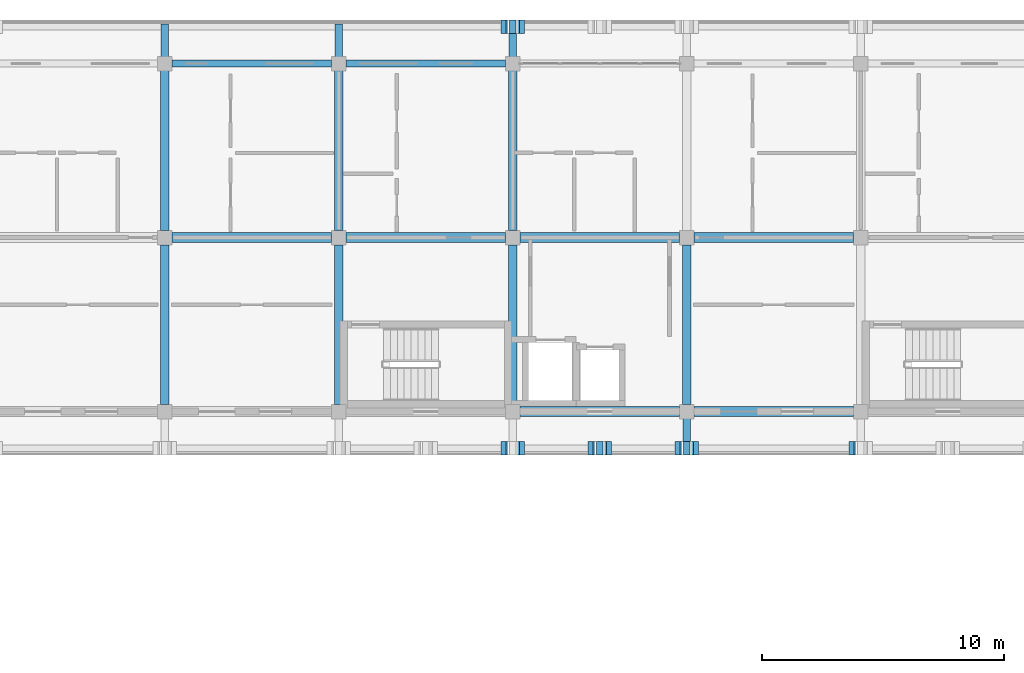
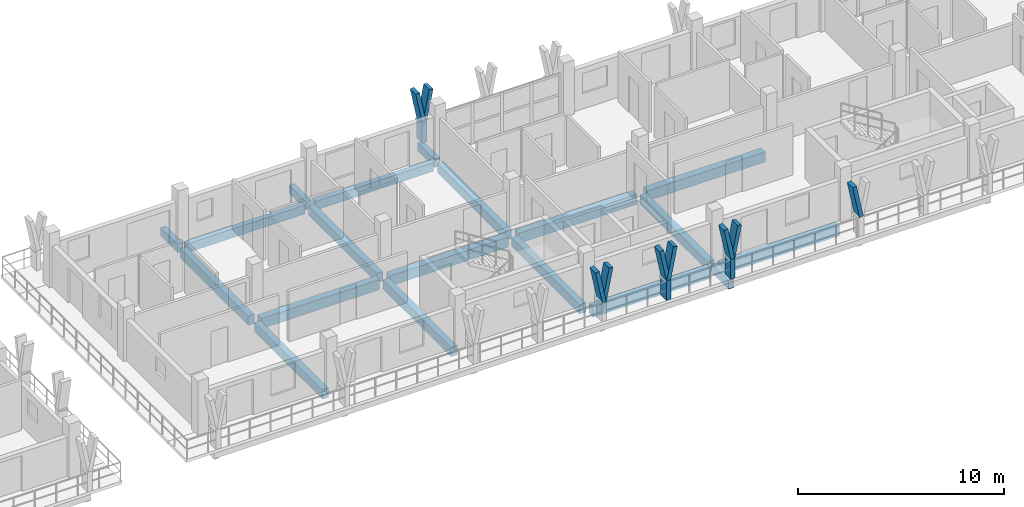
# One storey, part 28 of 76: 19 beams, 12 members.
"""IFC4 building model written with IfcOpenShell, lengths in metres."""

from ifc_helpers import new_model, si_unit, direction, frame, origin, origin_2d, place, context, subcontext, project, spatial, rectangle, extrude, material, material_profile, profile_set, type_object, element, save


model = new_model("IFC4")

# Units and contexts
model_context = context("Model", 3, precision=1e-05, world=origin(), true_north=direction((0.0, 1.0)))
body_context = subcontext(model_context, "Body", "Model", "MODEL_VIEW")
ifc_project = project(units=[si_unit("LENGTHUNIT", "METRE"), si_unit("AREAUNIT", "SQUARE_METRE"), si_unit("VOLUMEUNIT", "CUBIC_METRE"), si_unit("PLANEANGLEUNIT", "RADIAN"), si_unit("MASSUNIT", "GRAM", prefix="KILO")], contexts=[model_context])

# Site, building, storey
site_placement = place(None, origin())
site = spatial("IfcSite", under=ifc_project, at=site_placement, CompositionType="ELEMENT")
building_placement = place(site_placement, origin())
building = spatial("IfcBuilding", under=site, at=building_placement, Name="Suanplinth Sawtooth Commons", CompositionType="ELEMENT")
storey_placement = place(building_placement, frame((0.0, 0.0, 12.199951171875)))
storey = spatial("IfcBuildingStorey", under=building, at=storey_placement, Name="L03", CompositionType="ELEMENT", Elevation=12.199951171875)

# Beams
ifc_material_1 = material(Name="Precast concrete C40/50", Category="concrete")
ifc_material_profile_1 = material_profile(ifc_material_1, rectangle(XDim=0.39990234375, YDim=0.60009765625, at=origin_2d()), Name="PC-GDR 400x600")
ifc_profile_set_1 = profile_set([ifc_material_profile_1], Name="Precast concrete C40/50")
beam_type_1 = type_object("IfcBeamType", Name="B-05", PredefinedType="USERDEFINED", material=ifc_profile_set_1)
beam_1_placement = place(storey_placement, frame((129.89990234375, 115.199951171875, -0.5400390625), z_axis=(1.0, 0.0, 0.0), x_axis=(0.0, 1.0, 0.0)))
element("IfcBeam", 1, at=beam_1_placement, inside=storey, type_object=beam_type_1, Name="BMX-L03-B-18-16", ObjectType="GIRDER", PredefinedType="USERDEFINED", context=body_context, shape_type="SweptSolid", body=[
    extrude(rectangle(XDim=0.39990234375, YDim=0.60009765625, at=origin_2d()), origin(), (0.0, 0.0, 1.0), 6.60009765625),
])
for number, where, z_axis, x_axis, name in (
    (2, (137.10009765625, 115.199951171875, -0.5400390625), (1.0, 0.0, 0.0), (0.0, 1.0, 0.0), "BMX-L03-B-19-16"),
    (3, (144.300048828125, 108.0, -0.5400390625), (1.0, 0.0, 0.0), (0.0, 1.0, 0.0), "BMX-L03-B-20-15"),
    (4, (144.300048828125, 115.199951171875, -0.5400390625), (1.0, 0.0, 0.0), (0.0, 1.0, 0.0), "BMX-L03-B-20-16"),
):
    element("IfcBeam", number, at=place(storey_placement, frame(where, z_axis=z_axis, x_axis=x_axis)), inside=storey, type_object=beam_type_1, Name=name, ObjectType="GIRDER", PredefinedType="USERDEFINED", context=body_context, shape_type="SweptSolid", body=[
        extrude(rectangle(XDim=0.39990234375, YDim=0.60009765625, at=origin_2d()), origin(), (0.0, 0.0, 1.0), 6.599853515625),
    ])
for number, where, z_axis, x_axis, name in (
    (5, (151.5, 108.0, -0.5400390625), (1.0, 0.0, 0.0), (0.0, 1.0, 0.0), "BMX-L03-B-21-15"),
    (6, (151.5, 115.199951171875, -0.5400390625), (1.0, 0.0, 0.0), (0.0, 1.0, 0.0), "BMX-L03-B-21-16"),
):
    element("IfcBeam", number, at=place(storey_placement, frame(where, z_axis=z_axis, x_axis=x_axis)), inside=storey, type_object=beam_type_1, Name=name, ObjectType="GIRDER", PredefinedType="USERDEFINED", context=body_context, shape_type="SweptSolid", body=[
        extrude(rectangle(XDim=0.39990234375, YDim=0.60009765625, at=origin_2d()), origin(), (0.0, 0.0, 1.0), 6.60009765625),
    ])
ifc_material_profile_2 = material_profile(ifc_material_1, rectangle(XDim=0.35009765625, YDim=0.550048828125, at=origin_2d()), Name="PC-BM 350x550")
ifc_profile_set_2 = profile_set([ifc_material_profile_2], Name="Precast concrete C40/50")
beam_type_2 = type_object("IfcBeamType", Name="B-06", PredefinedType="BEAM", material=ifc_profile_set_2)
beam_2_placement = place(storey_placement, frame((129.60009765625, 108.300048828125, -0.514892578125), z_axis=(0.0, 1.0, 0.0), x_axis=(-1.0, 0.0, 0.0)))
element("IfcBeam", 7, at=beam_2_placement, inside=storey, type_object=beam_type_2, Name="BMY-L03-B-18-15", PredefinedType="BEAM", context=body_context, shape_type="SweptSolid", body=[
    extrude(rectangle(XDim=0.35009765625, YDim=0.550048828125, at=origin_2d()), origin(), (0.0, 0.0, 1.0), 6.599853515625),
])
beam_3_placement = place(storey_placement, frame((129.60009765625, 115.5, -0.514892578125), z_axis=(0.0, 1.0, 0.0), x_axis=(-1.0, 0.0, 0.0)))
element("IfcBeam", 8, at=beam_3_placement, inside=storey, type_object=beam_type_2, Name="BMY-L03-B-18-16", PredefinedType="BEAM", context=body_context, shape_type="SweptSolid", body=[
    extrude(rectangle(XDim=0.35009765625, YDim=0.550048828125, at=origin_2d()), origin(), (0.0, 0.0, 1.0), 6.60009765625),
])
beam_4_placement = place(storey_placement, frame((136.800048828125, 108.300048828125, -0.514892578125), z_axis=(0.0, 1.0, 0.0), x_axis=(-1.0, 0.0, 0.0)))
element("IfcBeam", 9, at=beam_4_placement, inside=storey, type_object=beam_type_2, Name="BMY-L03-B-19-15", PredefinedType="BEAM", context=body_context, shape_type="SweptSolid", body=[
    extrude(rectangle(XDim=0.35009765625, YDim=0.550048828125, at=origin_2d()), origin(), (0.0, 0.0, 1.0), 6.599853515625),
])
beam_5_placement = place(storey_placement, frame((136.800048828125, 115.5, -0.514892578125), z_axis=(0.0, 1.0, 0.0), x_axis=(-1.0, 0.0, 0.0)))
element("IfcBeam", 10, at=beam_5_placement, inside=storey, type_object=beam_type_2, Name="BMY-L03-B-19-16", PredefinedType="BEAM", context=body_context, shape_type="SweptSolid", body=[
    extrude(rectangle(XDim=0.35009765625, YDim=0.550048828125, at=origin_2d()), origin(), (0.0, 0.0, 1.0), 6.60009765625),
])
beam_6_placement = place(storey_placement, frame((144.0, 108.300048828125, -0.514892578125), z_axis=(0.0, 1.0, 0.0), x_axis=(-1.0, 0.0, 0.0)))
element("IfcBeam", 11, at=beam_6_placement, inside=storey, type_object=beam_type_2, Name="BMY-L03-B-20-15", PredefinedType="BEAM", context=body_context, shape_type="SweptSolid", body=[
    extrude(rectangle(XDim=0.35009765625, YDim=0.550048828125, at=origin_2d()), origin(), (0.0, 0.0, 1.0), 6.599853515625),
])
beam_7_placement = place(storey_placement, frame((144.0, 115.5, -0.514892578125), z_axis=(0.0, 1.0, 0.0), x_axis=(-1.0, 0.0, 0.0)))
element("IfcBeam", 12, at=beam_7_placement, inside=storey, type_object=beam_type_2, Name="BMY-L03-B-20-16", PredefinedType="BEAM", context=body_context, shape_type="SweptSolid", body=[
    extrude(rectangle(XDim=0.35009765625, YDim=0.550048828125, at=origin_2d()), origin(), (0.0, 0.0, 1.0), 6.60009765625),
])
beam_8_placement = place(storey_placement, frame((151.199951171875, 108.300048828125, -0.514892578125), z_axis=(0.0, 1.0, 0.0), x_axis=(-1.0, 0.0, 0.0)))
element("IfcBeam", 13, at=beam_8_placement, inside=storey, type_object=beam_type_2, Name="BMY-L03-B-21-15", PredefinedType="BEAM", context=body_context, shape_type="SweptSolid", body=[
    extrude(rectangle(XDim=0.35009765625, YDim=0.550048828125, at=origin_2d()), origin(), (0.0, 0.0, 1.0), 6.599853515625),
])
ifc_material_profile_3 = material_profile(ifc_material_1, rectangle(XDim=0.300048828125, YDim=0.5, at=origin_2d()), Name="PC-BM 300x500")
ifc_profile_set_3 = profile_set([ifc_material_profile_3], Name="Precast concrete C40/50")
beam_type_3 = type_object("IfcBeamType", Name="B-07", PredefinedType="BEAM", material=ifc_profile_set_3)
for number, where, z_axis, x_axis, name in (
    (14, (129.60009765625, 122.39990234375, -0.429931640625), (0.0, 1.0, 0.0), (-1.0, 0.0, 0.0), "Balcony Outrigger L03-B-N-18"),
    (15, (136.800048828125, 122.39990234375, -0.429931640625), (0.0, 1.0, 0.0), (-1.0, 0.0, 0.0), "Balcony Outrigger L03-B-N-19"),
    (16, (144.0, 122.39990234375, -0.429931640625), (0.0, 1.0, 0.0), (-1.0, 0.0, 0.0), "Balcony Outrigger L03-B-N-20"),
):
    element("IfcBeam", number, at=place(storey_placement, frame(where, z_axis=z_axis, x_axis=x_axis)), inside=storey, type_object=beam_type_3, Name=name, PredefinedType="BEAM", context=body_context, shape_type="SweptSolid", body=[
        extrude(rectangle(XDim=0.300048828125, YDim=0.5, at=origin_2d()), origin(), (0.0, 0.0, 1.0), 1.64013671875),
    ])
beam_9_placement = place(storey_placement, frame((151.199951171875, 108.0, -0.425048828125), z_axis=(0.0, -1.0, 0.0), x_axis=(1.0, 0.0, 0.0)))
element("IfcBeam", 17, at=beam_9_placement, inside=storey, type_object=beam_type_3, Name="Balcony Outrigger L03-B-SC-21", PredefinedType="BEAM", context=body_context, shape_type="SweptSolid", body=[
    extrude(rectangle(XDim=0.300048828125, YDim=0.5, at=origin_2d()), origin(), (0.0, 0.0, 1.0), 1.639892578125),
])
ifc_material_profile_4 = material_profile(ifc_material_1, rectangle(XDim=0.280029296875, YDim=0.52001953125, at=origin_2d()), Name="PC-SP 280x520")
ifc_profile_set_4 = profile_set([ifc_material_profile_4], Name="Precast concrete C40/50")
beam_type_4 = type_object("IfcBeamType", Name="B-08", PredefinedType="SPANDREL", material=ifc_profile_set_4)
beam_10_placement = place(storey_placement, frame((129.89990234375, 122.39990234375, -0.5), z_axis=(1.0, 0.0, 0.0), x_axis=(0.0, 1.0, 0.0)))
element("IfcBeam", 18, at=beam_10_placement, inside=storey, type_object=beam_type_4, Name="BMX-L03-B-18-17", PredefinedType="SPANDREL", context=body_context, shape_type="SweptSolid", body=[
    extrude(rectangle(XDim=0.280029296875, YDim=0.52001953125, at=origin_2d()), origin(), (0.0, 0.0, 1.0), 6.60009765625),
])
beam_11_placement = place(storey_placement, frame((137.10009765625, 122.39990234375, -0.5), z_axis=(1.0, 0.0, 0.0), x_axis=(0.0, 1.0, 0.0)))
element("IfcBeam", 19, at=beam_11_placement, inside=storey, type_object=beam_type_4, Name="BMX-L03-B-19-17", PredefinedType="SPANDREL", context=body_context, shape_type="SweptSolid", body=[
    extrude(rectangle(XDim=0.280029296875, YDim=0.52001953125, at=origin_2d()), origin(), (0.0, 0.0, 1.0), 6.599853515625),
])

# Members
ifc_material_2 = material(Name="Pigmented precast concrete C40/50", Category="concrete")
ifc_material_profile_5 = material_profile(ifc_material_2, rectangle(XDim=0.260009765625, YDim=0.550048828125, at=origin_2d()), Name="PC-FIN 260x550")
ifc_profile_set_5 = profile_set([ifc_material_profile_5], Name="Pigmented precast concrete C40/50")
member_type_1 = type_object("IfcMemberType", Name="M-09", PredefinedType="USERDEFINED", material=ifc_profile_set_5)
for number, where, z_axis, x_axis, name in (
    (20, (144.0, 123.919921875, 0.0), (0.0, 0.0, 1.0), (1.0, 0.0, 0.0), "Y-Blade Stem L03-B-N-02"),
    (21, (147.60009765625, 106.47998046875, 0.0), (0.0, 0.0, 1.0), (1.0, 0.0, 0.0), "Y-Blade Stem L03-B-SC-20"),
    (22, (151.199951171875, 106.47998046875, 0.0), (0.0, 0.0, 1.0), (1.0, 0.0, 0.0), "Y-Blade Stem L03-B-SC-21"),
):
    element("IfcMember", number, at=place(storey_placement, frame(where, z_axis=z_axis, x_axis=x_axis)), inside=storey, type_object=member_type_1, Name=name, ObjectType="SHADING FIN", PredefinedType="USERDEFINED", context=body_context, shape_type="SweptSolid", body=[
        extrude(rectangle(XDim=0.260009765625, YDim=0.550048828125, at=origin_2d()), origin(), (0.0, 0.0, 1.0), 1.170166015625),
    ])
ifc_material_profile_6 = material_profile(ifc_material_2, rectangle(XDim=0.219970703125, YDim=0.550048828125, at=origin_2d()), Name="PC-FIN 220x550")
ifc_profile_set_6 = profile_set([ifc_material_profile_6], Name="Pigmented precast concrete C40/50")
member_type_2 = type_object("IfcMemberType", Name="M-10", PredefinedType="USERDEFINED", material=ifc_profile_set_6)
for number, where, z_axis, x_axis, name in (
    (23, (144.0, 123.919921875, 1.130126953125), (-0.196431120402, 0.0, 0.980517626021), (0.980517626021, 0.0, 0.196431120402), "Y-Blade Arm L L03-B-N-02"),
    (24, (144.0, 123.919921875, 1.130126953125), (0.196431120402, 0.0, 0.980517626021), (-0.980517626021, 0.0, 0.196431120402), "Y-Blade Arm R L03-B-N-02"),
    (25, (144.0, 106.47998046875, 1.130126953125), (-0.196431120402, 0.0, 0.980517626021), (0.980517626021, 0.0, 0.196431120402), "Y-Blade Arm L L03-B-SC-19"),
    (26, (144.0, 106.47998046875, 1.130126953125), (0.196431120402, 0.0, 0.980517626021), (-0.980517626021, 0.0, 0.196431120402), "Y-Blade Arm R L03-B-SC-19"),
    (27, (147.60009765625, 106.47998046875, 1.130126953125), (-0.196431120402, 0.0, 0.980517626021), (0.980517626021, 0.0, 0.196431120402), "Y-Blade Arm L L03-B-SC-20"),
):
    element("IfcMember", number, at=place(storey_placement, frame(where, z_axis=z_axis, x_axis=x_axis)), inside=storey, type_object=member_type_2, Name=name, ObjectType="SHADING FIN", PredefinedType="USERDEFINED", context=body_context, shape_type="SweptSolid", body=[
        extrude(rectangle(XDim=0.219970703125, YDim=0.550048828125, at=origin_2d()), origin(), (0.0, 0.0, 1.0), 1.937744140625),
    ])
for number, where, z_axis, x_axis, name in (
    (28, (147.60009765625, 106.47998046875, 1.130126953125), (0.196309979414, 0.0, 0.980541886909), (-0.980541886909, 0.0, 0.196309979414), "Y-Blade Arm R L03-B-SC-20"),
    (29, (151.199951171875, 106.47998046875, 1.130126953125), (-0.196309979414, 0.0, 0.980541886909), (0.980541886909, 0.0, 0.196309979414), "Y-Blade Arm L L03-B-SC-21"),
):
    element("IfcMember", number, at=place(storey_placement, frame(where, z_axis=z_axis, x_axis=x_axis)), inside=storey, type_object=member_type_2, Name=name, ObjectType="SHADING FIN", PredefinedType="USERDEFINED", context=body_context, shape_type="SweptSolid", body=[
        extrude(rectangle(XDim=0.219970703125, YDim=0.550048828125, at=origin_2d()), origin(), (0.0, 0.0, 1.0), 1.9375),
    ])
member_1_placement = place(storey_placement, frame((151.199951171875, 106.47998046875, 1.130126953125), z_axis=(0.196431120402, 0.0, 0.980517626021), x_axis=(-0.980517626021, 0.0, 0.196431120402)))
element("IfcMember", 30, at=member_1_placement, inside=storey, type_object=member_type_2, Name="Y-Blade Arm R L03-B-SC-21", ObjectType="SHADING FIN", PredefinedType="USERDEFINED", context=body_context, shape_type="SweptSolid", body=[
    extrude(rectangle(XDim=0.219970703125, YDim=0.550048828125, at=origin_2d()), origin(), (0.0, 0.0, 1.0), 1.937744140625),
])
member_2_placement = place(storey_placement, frame((158.39990234375, 106.47998046875, 1.130126953125), z_axis=(-0.196309979414, 0.0, 0.980541886909), x_axis=(0.980541886909, 0.0, 0.196309979414)))
element("IfcMember", 31, at=member_2_placement, inside=storey, type_object=member_type_2, Name="Y-Blade Arm L L03-B-SC-22", ObjectType="SHADING FIN", PredefinedType="USERDEFINED", context=body_context, shape_type="SweptSolid", body=[
    extrude(rectangle(XDim=0.219970703125, YDim=0.550048828125, at=origin_2d()), origin(), (0.0, 0.0, 1.0), 1.9375),
])

save(model, "model.ifc")
